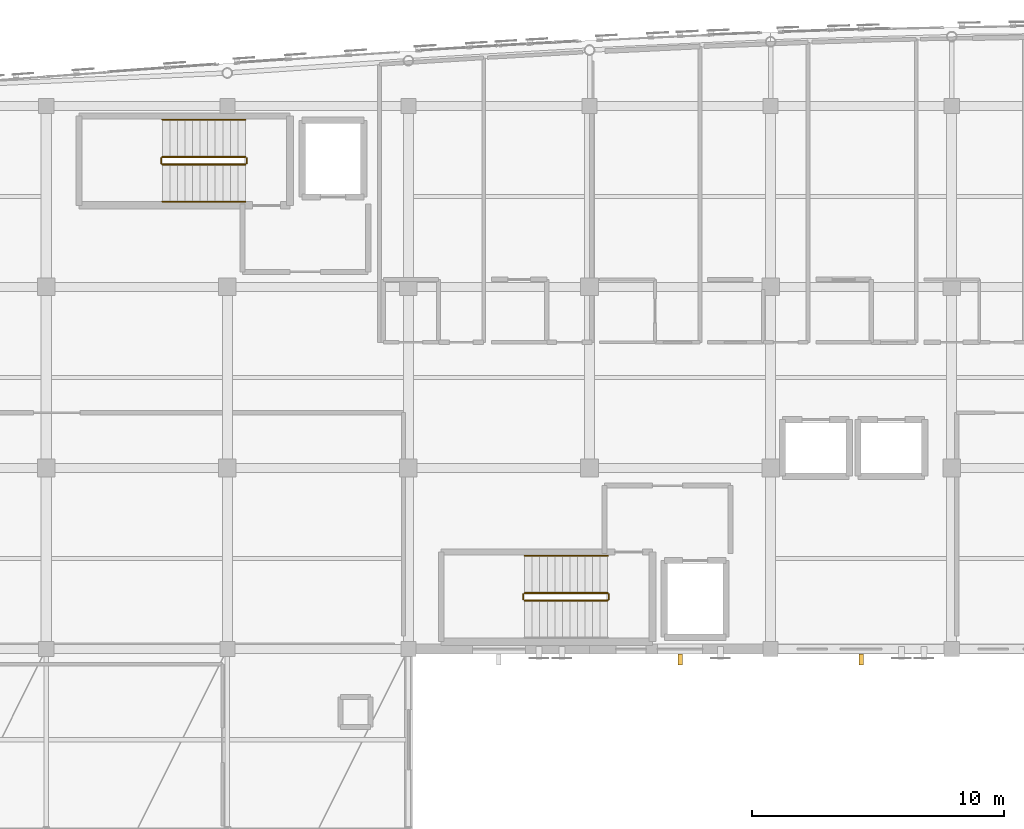
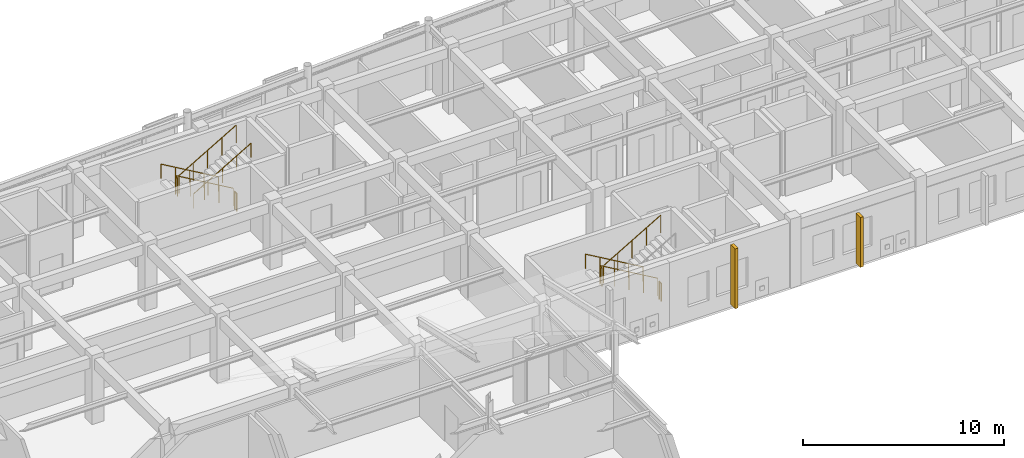
# One storey, part 107 of 113: 11 railings, 2 shading devices.
"""IFC4 building model written with IfcOpenShell, lengths in metres."""

from ifc_helpers import new_model, si_unit, direction, frame, origin, origin_2d, place, context, subcontext, project, spatial, rectangle, circle, extrude, material, layer, layer_set, type_object, element, save


model = new_model("IFC4")

# Units and contexts
model_context = context("Model", 3, precision=1e-05, world=origin(), true_north=direction((0.0, 1.0)))
body_context = subcontext(model_context, "Body", "Model", "MODEL_VIEW")
ifc_project = project(units=[si_unit("LENGTHUNIT", "METRE"), si_unit("AREAUNIT", "SQUARE_METRE"), si_unit("VOLUMEUNIT", "CUBIC_METRE"), si_unit("PLANEANGLEUNIT", "RADIAN"), si_unit("MASSUNIT", "GRAM", prefix="KILO")], contexts=[model_context])

# Site, building, storey
site_placement = place(None, origin())
site = spatial("IfcSite", under=ifc_project, at=site_placement, CompositionType="ELEMENT")
building_placement = place(site_placement, origin())
building = spatial("IfcBuilding", under=site, at=building_placement, Name="Carrowvane Square Congress Hotel", CompositionType="ELEMENT")
storey_placement = place(building_placement, frame((0.0, 0.0, 15.0)))
storey = spatial("IfcBuildingStorey", under=building, at=storey_placement, Name="L03", CompositionType="ELEMENT", Elevation=15.0)

# Railings
ifc_material_1 = material(Name="Stainless steel 316", Category="steel")
ifc_layer_1 = layer(ifc_material_1, 0.048095703125)
ifc_layer_set_1 = layer_set([ifc_layer_1], Name="Stainless steel 316")
railing_type_1 = type_object("IfcRailingType", Name="RLG-HR-900", PredefinedType="HANDRAIL", material=ifc_layer_set_1)
railing_1_placement = place(storey_placement, frame((62.719970703125, 112.85009765625, 0.175048828125)))
element("IfcRailing", 1, at=railing_1_placement, inside=storey, type_object=railing_type_1, Name="L03 ST1 stair handrail 1", PredefinedType="HANDRAIL", context=body_context, shape_type="SweptSolid", body=[
    extrude(circle(Radius=0.02392578125, at=origin_2d()), frame((0.0, 0.0, 0.8759765625), z_axis=(-0.863776583165, 0.0, 0.503874998761), x_axis=(0.0, -1.0, 0.0)), (0.0, 0.0, 1.0), 3.820556640625),
    extrude(circle(Radius=0.02099609375, at=origin_2d()), origin(), (0.0, 0.0, 1.0), 0.851806640625),
    extrude(circle(Radius=0.02099609375, at=origin_2d()), frame((-0.824951171875, 0.0, 0.481201171875)), (0.0, 0.0, 1.0), 0.851806640625),
    extrude(circle(Radius=0.02099609375, at=origin_2d()), frame((-1.64990234375, 0.0, 0.96240234375)), (0.0, 0.0, 1.0), 0.851806640625),
    extrude(circle(Radius=0.02099609375, at=origin_2d()), frame((-2.47509765625, 0.0, 1.44384765625)), (0.0, 0.0, 1.0), 0.851806640625),
    extrude(circle(Radius=0.02099609375, at=origin_2d()), frame((-3.300048828125, 0.0, 1.925048828125)), (0.0, 0.0, 1.0), 0.851806640625),
])
railing_2_placement = place(storey_placement, frame((59.419921875, 109.590087890625, 2.27490234375)))
element("IfcRailing", 2, at=railing_2_placement, inside=storey, type_object=railing_type_1, Name="L03 ST1 stair handrail 2", PredefinedType="HANDRAIL", context=body_context, shape_type="SweptSolid", body=[
    extrude(circle(Radius=0.02392578125, at=origin_2d()), frame((0.0, 0.0, 0.8759765625), z_axis=(0.863776583165, 0.0, 0.503874998761), x_axis=(0.0, 1.0, 0.0)), (0.0, 0.0, 1.0), 3.820556640625),
    extrude(circle(Radius=0.02099609375, at=origin_2d()), origin(), (0.0, 0.0, 1.0), 0.851806640625),
    extrude(circle(Radius=0.02099609375, at=origin_2d()), frame((0.824951171875, 0.0, 0.481201171875)), (0.0, 0.0, 1.0), 0.851806640625),
    extrude(circle(Radius=0.02099609375, at=origin_2d()), frame((1.64990234375, 0.0, 0.96240234375)), (0.0, 0.0, 1.0), 0.851806640625),
    extrude(circle(Radius=0.02099609375, at=origin_2d()), frame((2.47509765625, 0.0, 1.44384765625)), (0.0, 0.0, 1.0), 0.851806640625),
    extrude(circle(Radius=0.02099609375, at=origin_2d()), frame((3.300048828125, 0.0, 1.925048828125)), (0.0, 0.0, 1.0), 0.851806640625),
])
railing_3_placement = place(storey_placement, frame((77.1201171875, 95.510009765625, 0.175048828125)))
element("IfcRailing", 3, at=railing_3_placement, inside=storey, type_object=railing_type_1, Name="L03 ST2 stair handrail 1", PredefinedType="HANDRAIL", context=body_context, shape_type="SweptSolid", body=[
    extrude(circle(Radius=0.02392578125, at=origin_2d()), frame((0.0, 0.0, 0.8759765625), z_axis=(-0.863776583165, 0.0, 0.503874998761), x_axis=(0.0, -1.0, 0.0)), (0.0, 0.0, 1.0), 3.820556640625),
    extrude(circle(Radius=0.02099609375, at=origin_2d()), origin(), (0.0, 0.0, 1.0), 0.851806640625),
    extrude(circle(Radius=0.02099609375, at=origin_2d()), frame((-0.824951171875, 0.0, 0.481201171875)), (0.0, 0.0, 1.0), 0.851806640625),
    extrude(circle(Radius=0.02099609375, at=origin_2d()), frame((-1.64990234375, 0.0, 0.96240234375)), (0.0, 0.0, 1.0), 0.851806640625),
    extrude(circle(Radius=0.02099609375, at=origin_2d()), frame((-2.47509765625, 0.0, 1.44384765625)), (0.0, 0.0, 1.0), 0.851806640625),
    extrude(circle(Radius=0.02099609375, at=origin_2d()), frame((-3.300048828125, 0.0, 1.925048828125)), (0.0, 0.0, 1.0), 0.851806640625),
])
ifc_material_2 = material(Name="Galvanised steel", Category="steel")
ifc_layer_2 = layer(ifc_material_2, 0.048095703125)
ifc_layer_set_2 = layer_set([ifc_layer_2], Name="Galvanised steel")
railing_type_2 = type_object("IfcRailingType", Name="RLG-STG-1100", PredefinedType="GUARDRAIL", material=ifc_layer_set_2)
railing_4_placement = place(storey_placement, frame((62.719970703125, 111.3701171875, 0.175048828125)))
element("IfcRailing", 4, at=railing_4_placement, inside=storey, type_object=railing_type_2, Name="L03 ST1 stair guard 1", PredefinedType="GUARDRAIL", context=body_context, shape_type="SweptSolid", body=[
    extrude(circle(Radius=0.02392578125, at=origin_2d()), frame((0.0, 0.0, 1.076171875), z_axis=(-0.863776583165, 0.0, 0.503874998761), x_axis=(0.0, -1.0, 0.0)), (0.0, 0.0, 1.0), 3.820556640625),
    extrude(circle(Radius=0.02099609375, at=origin_2d()), origin(), (0.0, 0.0, 1.0), 1.052001953125),
    extrude(circle(Radius=0.02099609375, at=origin_2d()), frame((-0.824951171875, 0.0, 0.481201171875)), (0.0, 0.0, 1.0), 1.052001953125),
    extrude(circle(Radius=0.02099609375, at=origin_2d()), frame((-1.64990234375, 0.0, 0.96240234375)), (0.0, 0.0, 1.0), 1.052001953125),
    extrude(circle(Radius=0.02099609375, at=origin_2d()), frame((-2.47509765625, 0.0, 1.44384765625)), (0.0, 0.0, 1.0), 1.052001953125),
    extrude(circle(Radius=0.02099609375, at=origin_2d()), frame((-3.300048828125, 0.0, 1.925048828125)), (0.0, 0.0, 1.0), 1.052001953125),
])
railing_5_placement = place(storey_placement, frame((59.3701171875, 111.320068359375, 2.10009765625)))
element("IfcRailing", 5, at=railing_5_placement, inside=storey, type_object=railing_type_2, Name="L03 ST1 stair guard 2", PredefinedType="GUARDRAIL", context=body_context, shape_type="SweptSolid", body=[
    extrude(circle(Radius=0.02392578125, at=origin_2d()), frame((0.0, 0.0, 1.076171875), z_axis=(0.0, -1.0, 0.0), x_axis=(1.0, 0.0, 0.0)), (0.0, 0.0, 1.0), 0.199951171875),
    extrude(circle(Radius=0.02099609375, at=origin_2d()), origin(), (0.0, 0.0, 1.0), 1.052001953125),
    extrude(circle(Radius=0.02099609375, at=origin_2d()), frame((0.0, -0.199951171875, 0.0)), (0.0, 0.0, 1.0), 1.052001953125),
])
railing_6_placement = place(storey_placement, frame((59.419921875, 111.070068359375, 2.27490234375)))
element("IfcRailing", 6, at=railing_6_placement, inside=storey, type_object=railing_type_2, Name="L03 ST1 stair guard 3", PredefinedType="GUARDRAIL", context=body_context, shape_type="SweptSolid", body=[
    extrude(circle(Radius=0.02392578125, at=origin_2d()), frame((0.0, 0.0, 1.076171875), z_axis=(0.863776583165, 0.0, 0.503874998761), x_axis=(0.0, 1.0, 0.0)), (0.0, 0.0, 1.0), 3.820556640625),
    extrude(circle(Radius=0.02099609375, at=origin_2d()), origin(), (0.0, 0.0, 1.0), 1.052001953125),
    extrude(circle(Radius=0.02099609375, at=origin_2d()), frame((0.824951171875, 0.0, 0.481201171875)), (0.0, 0.0, 1.0), 1.052001953125),
    extrude(circle(Radius=0.02099609375, at=origin_2d()), frame((1.64990234375, 0.0, 0.96240234375)), (0.0, 0.0, 1.0), 1.052001953125),
    extrude(circle(Radius=0.02099609375, at=origin_2d()), frame((2.47509765625, 0.0, 1.44384765625)), (0.0, 0.0, 1.0), 1.052001953125),
    extrude(circle(Radius=0.02099609375, at=origin_2d()), frame((3.300048828125, 0.0, 1.925048828125)), (0.0, 0.0, 1.0), 1.052001953125),
])
railing_7_placement = place(storey_placement, frame((62.77001953125, 111.320068359375, 0.0)))
element("IfcRailing", 7, at=railing_7_placement, inside=storey, type_object=railing_type_2, Name="L03 ST1 stair guard 4", PredefinedType="GUARDRAIL", context=body_context, shape_type="SweptSolid", body=[
    extrude(circle(Radius=0.02392578125, at=origin_2d()), frame((0.0, 0.0, 1.076171875), z_axis=(0.0, -1.0, 0.0), x_axis=(1.0, 0.0, 0.0)), (0.0, 0.0, 1.0), 0.199951171875),
    extrude(circle(Radius=0.02099609375, at=origin_2d()), origin(), (0.0, 0.0, 1.0), 1.052001953125),
    extrude(circle(Radius=0.02099609375, at=origin_2d()), frame((0.0, -0.199951171875, 0.0)), (0.0, 0.0, 1.0), 1.052001953125),
])
railing_8_placement = place(storey_placement, frame((77.1201171875, 94.030029296875, 0.175048828125)))
element("IfcRailing", 8, at=railing_8_placement, inside=storey, type_object=railing_type_2, Name="L03 ST2 stair guard 1", PredefinedType="GUARDRAIL", context=body_context, shape_type="SweptSolid", body=[
    extrude(circle(Radius=0.02392578125, at=origin_2d()), frame((0.0, 0.0, 1.076171875), z_axis=(-0.863776583165, 0.0, 0.503874998761), x_axis=(0.0, -1.0, 0.0)), (0.0, 0.0, 1.0), 3.820556640625),
    extrude(circle(Radius=0.02099609375, at=origin_2d()), origin(), (0.0, 0.0, 1.0), 1.052001953125),
    extrude(circle(Radius=0.02099609375, at=origin_2d()), frame((-0.824951171875, 0.0, 0.481201171875)), (0.0, 0.0, 1.0), 1.052001953125),
    extrude(circle(Radius=0.02099609375, at=origin_2d()), frame((-1.64990234375, 0.0, 0.96240234375)), (0.0, 0.0, 1.0), 1.052001953125),
    extrude(circle(Radius=0.02099609375, at=origin_2d()), frame((-2.47509765625, 0.0, 1.44384765625)), (0.0, 0.0, 1.0), 1.052001953125),
    extrude(circle(Radius=0.02099609375, at=origin_2d()), frame((-3.300048828125, 0.0, 1.925048828125)), (0.0, 0.0, 1.0), 1.052001953125),
])
railing_9_placement = place(storey_placement, frame((73.77001953125, 93.97998046875, 2.10009765625)))
element("IfcRailing", 9, at=railing_9_placement, inside=storey, type_object=railing_type_2, Name="L03 ST2 stair guard 2", PredefinedType="GUARDRAIL", context=body_context, shape_type="SweptSolid", body=[
    extrude(circle(Radius=0.02392578125, at=origin_2d()), frame((0.0, 0.0, 1.076171875), z_axis=(0.0, -1.0, 0.0), x_axis=(1.0, 0.0, 0.0)), (0.0, 0.0, 1.0), 0.199951171875),
    extrude(circle(Radius=0.02099609375, at=origin_2d()), origin(), (0.0, 0.0, 1.0), 1.052001953125),
    extrude(circle(Radius=0.02099609375, at=origin_2d()), frame((0.0, -0.199951171875, 0.0)), (0.0, 0.0, 1.0), 1.052001953125),
])
railing_10_placement = place(storey_placement, frame((73.820068359375, 93.72998046875, 2.27490234375)))
element("IfcRailing", 10, at=railing_10_placement, inside=storey, type_object=railing_type_2, Name="L03 ST2 stair guard 3", PredefinedType="GUARDRAIL", context=body_context, shape_type="SweptSolid", body=[
    extrude(circle(Radius=0.02392578125, at=origin_2d()), frame((0.0, 0.0, 1.076171875), z_axis=(0.863776583165, 0.0, 0.503874998761), x_axis=(0.0, 1.0, 0.0)), (0.0, 0.0, 1.0), 3.820556640625),
    extrude(circle(Radius=0.02099609375, at=origin_2d()), origin(), (0.0, 0.0, 1.0), 1.052001953125),
    extrude(circle(Radius=0.02099609375, at=origin_2d()), frame((0.824951171875, 0.0, 0.481201171875)), (0.0, 0.0, 1.0), 1.052001953125),
    extrude(circle(Radius=0.02099609375, at=origin_2d()), frame((1.64990234375, 0.0, 0.96240234375)), (0.0, 0.0, 1.0), 1.052001953125),
    extrude(circle(Radius=0.02099609375, at=origin_2d()), frame((2.47509765625, 0.0, 1.44384765625)), (0.0, 0.0, 1.0), 1.052001953125),
    extrude(circle(Radius=0.02099609375, at=origin_2d()), frame((3.300048828125, 0.0, 1.925048828125)), (0.0, 0.0, 1.0), 1.052001953125),
])
railing_11_placement = place(storey_placement, frame((77.169921875, 93.97998046875, 0.0)))
element("IfcRailing", 11, at=railing_11_placement, inside=storey, type_object=railing_type_2, Name="L03 ST2 stair guard 4", PredefinedType="GUARDRAIL", context=body_context, shape_type="SweptSolid", body=[
    extrude(circle(Radius=0.02392578125, at=origin_2d()), frame((0.0, 0.0, 1.076171875), z_axis=(0.0, -1.0, 0.0), x_axis=(1.0, 0.0, 0.0)), (0.0, 0.0, 1.0), 0.199951171875),
    extrude(circle(Radius=0.02099609375, at=origin_2d()), origin(), (0.0, 0.0, 1.0), 1.052001953125),
    extrude(circle(Radius=0.02099609375, at=origin_2d()), frame((0.0, -0.199951171875, 0.0)), (0.0, 0.0, 1.0), 1.052001953125),
])

# Shading devices
ifc_material_3 = material(Name="Portland limestone cladding", Category="masonry")
shading_device_type = type_object("IfcShadingDeviceType", Name="SHD-FIN-LS", PredefinedType="USERDEFINED", material=ifc_material_3)
shading_device_1_placement = place(storey_placement, frame((87.199951171875, 91.389892578125, 0.150146484375), z_axis=(0.0, 0.0, 1.0), x_axis=(-1.0, 0.0, 0.0)))
element("IfcShadingDevice", 12, at=shading_device_1_placement, inside=storey, type_object=shading_device_type, Name="Limestone brise-soleil fin 25", ObjectType="FIN", PredefinedType="USERDEFINED", context=body_context, shape_type="SweptSolid", body=[
    extrude(rectangle(XDim=0.179931640625, YDim=0.449951171875, at=origin_2d()), origin(), (0.0, 0.0, 1.0), 3.02490234375),
])
shading_device_2_placement = place(storey_placement, frame((80.0, 91.389892578125, 0.14990234375), z_axis=(0.0, 0.0, 1.0), x_axis=(-1.0, 0.0, 0.0)))
element("IfcShadingDevice", 13, at=shading_device_2_placement, inside=storey, type_object=shading_device_type, Name="Limestone brise-soleil fin 26", ObjectType="FIN", PredefinedType="USERDEFINED", context=body_context, shape_type="SweptSolid", body=[
    extrude(rectangle(XDim=0.179931640625, YDim=0.449951171875, at=origin_2d()), origin(), (0.0, 0.0, 1.0), 3.639892578125),
])

save(model, "model.ifc")
